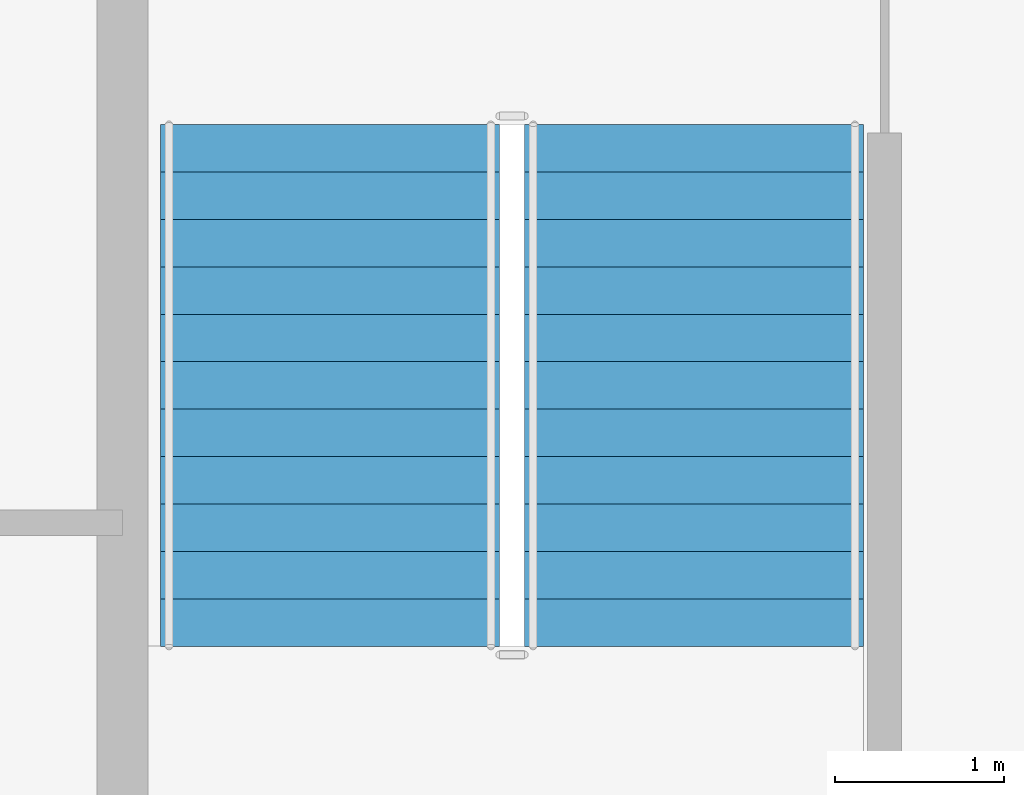
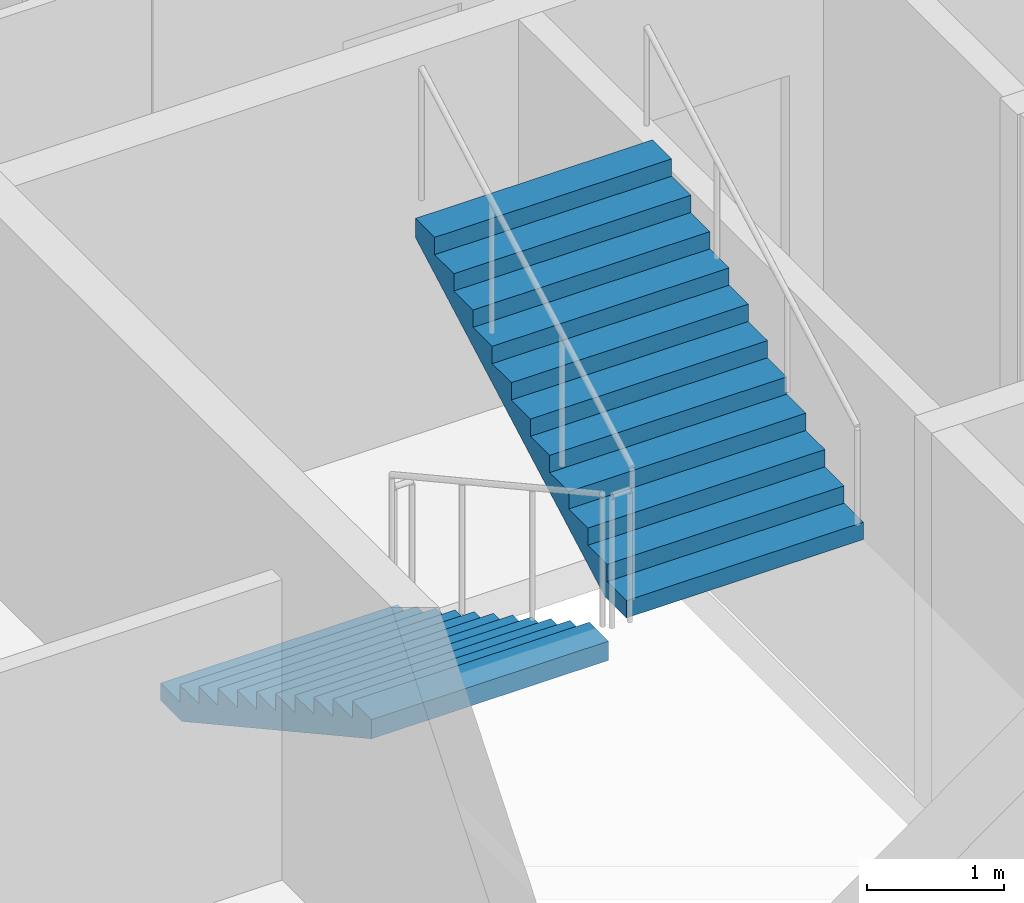
# One storey, part 7 of 15: 2 stair flights, 1 element without a shape of its own.
"""IFC4 building model written with IfcOpenShell, lengths in metres."""

from ifc_helpers import new_model, si_unit, direction, frame, origin, place, context, subcontext, project, spatial, polygons, material, type_object, element, aggregate, save


model = new_model("IFC4")

# Units and contexts
model_context = context("Model", 3, precision=1e-05, world=origin(), true_north=direction((0.0, 1.0)))
body_context = subcontext(model_context, "Body", "Model", "MODEL_VIEW")
ifc_project = project(units=[si_unit("LENGTHUNIT", "METRE"), si_unit("AREAUNIT", "SQUARE_METRE"), si_unit("VOLUMEUNIT", "CUBIC_METRE"), si_unit("PLANEANGLEUNIT", "RADIAN"), si_unit("MASSUNIT", "GRAM", prefix="KILO")], contexts=[model_context])

# Site, building, storey
site_placement = place(None, origin())
site = spatial("IfcSite", under=ifc_project, at=site_placement, CompositionType="ELEMENT")
building_placement = place(site_placement, origin())
building = spatial("IfcBuilding", under=site, at=building_placement, Name="Caravel Reach Hotel and Residences", CompositionType="ELEMENT")
storey_placement = place(building_placement, frame((0.0, 0.0, 252.699951171875)))
storey = spatial("IfcBuildingStorey", under=building, at=storey_placement, Name="L64", CompositionType="ELEMENT", Elevation=252.699951171875)

# Stair, stair flights
ifc_material_1 = material(Name="Concrete C40", Category="concrete")
stair_type = type_object("IfcStairType", Name="Core stair", PredefinedType="HALF_TURN_STAIR", material=ifc_material_1)
stair_placement = place(storey_placement, origin())
stair = element("IfcStair", 1, at=stair_placement, inside=storey, type_object=stair_type, Name="L64 Exit stair A", PredefinedType="HALF_TURN_STAIR")
ifc_material_2 = material(Name="Concrete C40", Category="concrete")
stair_flight_type = type_object("IfcStairFlightType", Name="Core stair flight", PredefinedType="STRAIGHT", material=ifc_material_2)
stair_flight_1_placement = place(storey_placement, frame((19.22509765625, 29.35009765625, 0.0), z_axis=(0.0, 0.0, 1.0), x_axis=(0.0, -1.0, 0.0)))
stair_flight_1 = element("IfcStairFlight", 2, at=stair_flight_1_placement, type_object=stair_flight_type, Name="ST-A flight 1", NumberOfRisers=12, NumberOfTreads=11, PredefinedType="STRAIGHT", RiserHeight=0.154166667, TreadLength=0.28, context=body_context, shape_type="Tessellation", body=[
    polygons([(0.3107950034306102, 1.0, 0.0), (0.3107950034306102, 0.6666666666666667, 0.0), (0.3107950034306102, 0.33333333333333337, 0.0), (0.3107950034306102, 0.0, 0.0), (0.3107950034306102, -0.33333333333333326, 0.0), (0.3107950034306102, -0.6666666666666667, 0.0), (0.3107950034306102, -1.0, 0.0), (3.081, 1.0, 1.524711087717319), (3.081, 0.6666666666666667, 1.524711087717319), (3.081, 0.33333333333333337, 1.524711087717319), (3.081, 0.0, 1.524711087717319), (3.081, -0.33333333333333326, 1.524711087717319), (3.081, -0.6666666666666667, 1.524711087717319), (3.081, -1.0, 1.524711087717319), (3.081, 1.0, 1.695833337), (3.081, 0.6666666666666667, 1.695833337), (3.081, 0.33333333333333337, 1.695833337), (3.081, 0.0, 1.695833337), (3.081, -0.33333333333333326, 1.695833337), (3.081, -0.6666666666666667, 1.695833337), (3.081, -1.0, 1.695833337), (2.8000000000000003, 1.0, 1.695833337), (2.8000000000000003, 0.6666666666666667, 1.695833337), (2.8000000000000003, 0.33333333333333337, 1.695833337), (2.8000000000000003, 0.0, 1.695833337), (2.8000000000000003, -0.33333333333333326, 1.695833337), (2.8000000000000003, -0.6666666666666667, 1.695833337), (2.8000000000000003, -1.0, 1.695833337), (2.8000000000000003, 1.0, 1.5416666700000001), (2.8000000000000003, 0.6666666666666667, 1.5416666700000001), (2.8000000000000003, 0.33333333333333337, 1.5416666700000001), (2.8000000000000003, 0.0, 1.5416666700000001), (2.8000000000000003, -0.33333333333333326, 1.5416666700000001), (2.8000000000000003, -0.6666666666666667, 1.5416666700000001), (2.8000000000000003, -1.0, 1.5416666700000001), (2.5200000000000005, 1.0, 1.5416666700000001), (2.5200000000000005, 0.6666666666666667, 1.5416666700000001), (2.5200000000000005, 0.33333333333333337, 1.5416666700000001), (2.5200000000000005, 0.0, 1.5416666700000001), (2.5200000000000005, -0.33333333333333326, 1.5416666700000001), (2.5200000000000005, -0.6666666666666667, 1.5416666700000001), (2.5200000000000005, -1.0, 1.5416666700000001), (2.5200000000000005, 1.0, 1.387500003), (2.5200000000000005, 0.6666666666666667, 1.387500003), (2.5200000000000005, 0.33333333333333337, 1.387500003), (2.5200000000000005, 0.0, 1.387500003), (2.5200000000000005, -0.33333333333333326, 1.387500003), (2.5200000000000005, -0.6666666666666667, 1.387500003), (2.5200000000000005, -1.0, 1.387500003), (2.24, 1.0, 1.387500003), (2.24, 0.6666666666666667, 1.387500003), (2.24, 0.33333333333333337, 1.387500003), (2.24, 0.0, 1.387500003), (2.24, -0.33333333333333326, 1.387500003), (2.24, -0.6666666666666667, 1.387500003), (2.24, -1.0, 1.387500003), (2.24, 1.0, 1.233333336), (2.24, 0.6666666666666667, 1.233333336), (2.24, 0.33333333333333337, 1.233333336), (2.24, 0.0, 1.233333336), (2.24, -0.33333333333333326, 1.233333336), (2.24, -0.6666666666666667, 1.233333336), (2.24, -1.0, 1.233333336), (1.9600000000000002, 1.0, 1.233333336), (1.9600000000000002, 0.6666666666666667, 1.233333336), (1.9600000000000002, 0.33333333333333337, 1.233333336), (1.9600000000000002, 0.0, 1.233333336), (1.9600000000000002, -0.33333333333333326, 1.233333336), (1.9600000000000002, -0.6666666666666667, 1.233333336), (1.9600000000000002, -1.0, 1.233333336), (1.9600000000000002, 1.0, 1.0791666690000001), (1.9600000000000002, 0.6666666666666667, 1.0791666690000001), (1.9600000000000002, 0.33333333333333337, 1.0791666690000001), (1.9600000000000002, 0.0, 1.0791666690000001), (1.9600000000000002, -0.33333333333333326, 1.0791666690000001), (1.9600000000000002, -0.6666666666666667, 1.0791666690000001), (1.9600000000000002, -1.0, 1.0791666690000001), (1.6800000000000002, 1.0, 1.0791666690000001), (1.6800000000000002, 0.6666666666666667, 1.0791666690000001), (1.6800000000000002, 0.33333333333333337, 1.0791666690000001), (1.6800000000000002, 0.0, 1.0791666690000001), (1.6800000000000002, -0.33333333333333326, 1.0791666690000001), (1.6800000000000002, -0.6666666666666667, 1.0791666690000001), (1.6800000000000002, -1.0, 1.0791666690000001), (1.6800000000000002, 1.0, 0.925000002), (1.6800000000000002, 0.6666666666666667, 0.925000002), (1.6800000000000002, 0.33333333333333337, 0.925000002), (1.6800000000000002, 0.0, 0.925000002), (1.6800000000000002, -0.33333333333333326, 0.925000002), (1.6800000000000002, -0.6666666666666667, 0.925000002), (1.6800000000000002, -1.0, 0.925000002), (1.4000000000000001, 1.0, 0.925000002), (1.4000000000000001, 0.6666666666666667, 0.925000002), (1.4000000000000001, 0.33333333333333337, 0.925000002), (1.4000000000000001, 0.0, 0.925000002), (1.4000000000000001, -0.33333333333333326, 0.925000002), (1.4000000000000001, -0.6666666666666667, 0.925000002), (1.4000000000000001, -1.0, 0.925000002), (1.4000000000000001, 1.0, 0.7708333350000001), (1.4000000000000001, 0.6666666666666667, 0.7708333350000001), (1.4000000000000001, 0.33333333333333337, 0.7708333350000001), (1.4000000000000001, 0.0, 0.7708333350000001), (1.4000000000000001, -0.33333333333333326, 0.7708333350000001), (1.4000000000000001, -0.6666666666666667, 0.7708333350000001), (1.4000000000000001, -1.0, 0.7708333350000001), (1.12, 1.0, 0.7708333350000001), (1.12, 0.6666666666666667, 0.7708333350000001), (1.12, 0.33333333333333337, 0.7708333350000001), (1.12, 0.0, 0.7708333350000001), (1.12, -0.33333333333333326, 0.7708333350000001), (1.12, -0.6666666666666667, 0.7708333350000001), (1.12, -1.0, 0.7708333350000001), (1.12, 1.0, 0.616666668), (1.12, 0.6666666666666667, 0.616666668), (1.12, 0.33333333333333337, 0.616666668), (1.12, 0.0, 0.616666668), (1.12, -0.33333333333333326, 0.616666668), (1.12, -0.6666666666666667, 0.616666668), (1.12, -1.0, 0.616666668), (0.8400000000000001, 1.0, 0.616666668), (0.8400000000000001, 0.6666666666666667, 0.616666668), (0.8400000000000001, 0.33333333333333337, 0.616666668), (0.8400000000000001, 0.0, 0.616666668), (0.8400000000000001, -0.33333333333333326, 0.616666668), (0.8400000000000001, -0.6666666666666667, 0.616666668), (0.8400000000000001, -1.0, 0.616666668), (0.8400000000000001, 1.0, 0.462500001), (0.8400000000000001, 0.6666666666666667, 0.462500001), (0.8400000000000001, 0.33333333333333337, 0.462500001), (0.8400000000000001, 0.0, 0.462500001), (0.8400000000000001, -0.33333333333333326, 0.462500001), (0.8400000000000001, -0.6666666666666667, 0.462500001), (0.8400000000000001, -1.0, 0.462500001), (0.56, 1.0, 0.462500001), (0.56, 0.6666666666666667, 0.462500001), (0.56, 0.33333333333333337, 0.462500001), (0.56, 0.0, 0.462500001), (0.56, -0.33333333333333326, 0.462500001), (0.56, -0.6666666666666667, 0.462500001), (0.56, -1.0, 0.462500001), (0.56, 1.0, 0.308333334), (0.56, 0.6666666666666667, 0.308333334), (0.56, 0.33333333333333337, 0.308333334), (0.56, 0.0, 0.308333334), (0.56, -0.33333333333333326, 0.308333334), (0.56, -0.6666666666666667, 0.308333334), (0.56, -1.0, 0.308333334), (0.28, 1.0, 0.308333334), (0.28, 0.6666666666666667, 0.308333334), (0.28, 0.33333333333333337, 0.308333334), (0.28, 0.0, 0.308333334), (0.28, -0.33333333333333326, 0.308333334), (0.28, -0.6666666666666667, 0.308333334), (0.28, -1.0, 0.308333334), (0.28, 1.0, 0.154166667), (0.28, 0.6666666666666667, 0.154166667), (0.28, 0.33333333333333337, 0.154166667), (0.28, 0.0, 0.154166667), (0.28, -0.33333333333333326, 0.154166667), (0.28, -0.6666666666666667, 0.154166667), (0.28, -1.0, 0.154166667), (-0.001, 1.0, 0.154166667), (-0.001, 0.6666666666666667, 0.154166667), (-0.001, 0.33333333333333337, 0.154166667), (-0.001, 0.0, 0.154166667), (-0.001, -0.33333333333333326, 0.154166667), (-0.001, -0.6666666666666667, 0.154166667), (-0.001, -1.0, 0.154166667), (-0.001, 1.0, 0.0), (-0.001, 0.6666666666666667, 0.0), (-0.001, 0.33333333333333337, 0.0), (-0.001, 0.0, 0.0), (-0.001, -0.33333333333333326, 0.0), (-0.001, -0.6666666666666667, 0.0), (-0.001, -1.0, 0.0)], [[[169, 162, 155, 148, 141, 134, 127, 120, 113, 106, 99, 92, 85, 78, 71, 64, 57, 50, 43, 36, 29, 22, 15, 8, 1]], [[7, 14, 21, 28, 35, 42, 49, 56, 63, 70, 77, 84, 91, 98, 105, 112, 119, 126, 133, 140, 147, 154, 161, 168, 175]], [[1, 8, 9, 2]], [[2, 9, 10, 3]], [[3, 10, 11, 4]], [[4, 11, 12, 5]], [[5, 12, 13, 6]], [[6, 13, 14, 7]], [[8, 15, 16, 9]], [[9, 16, 17, 10]], [[10, 17, 18, 11]], [[11, 18, 19, 12]], [[12, 19, 20, 13]], [[13, 20, 21, 14]], [[15, 22, 23, 16]], [[16, 23, 24, 17]], [[17, 24, 25, 18]], [[18, 25, 26, 19]], [[19, 26, 27, 20]], [[20, 27, 28, 21]], [[22, 29, 30, 23]], [[23, 30, 31, 24]], [[24, 31, 32, 25]], [[25, 32, 33, 26]], [[26, 33, 34, 27]], [[27, 34, 35, 28]], [[29, 36, 37, 30]], [[30, 37, 38, 31]], [[31, 38, 39, 32]], [[32, 39, 40, 33]], [[33, 40, 41, 34]], [[34, 41, 42, 35]], [[36, 43, 44, 37]], [[37, 44, 45, 38]], [[38, 45, 46, 39]], [[39, 46, 47, 40]], [[40, 47, 48, 41]], [[41, 48, 49, 42]], [[43, 50, 51, 44]], [[44, 51, 52, 45]], [[45, 52, 53, 46]], [[46, 53, 54, 47]], [[47, 54, 55, 48]], [[48, 55, 56, 49]], [[50, 57, 58, 51]], [[51, 58, 59, 52]], [[52, 59, 60, 53]], [[53, 60, 61, 54]], [[54, 61, 62, 55]], [[55, 62, 63, 56]], [[57, 64, 65, 58]], [[58, 65, 66, 59]], [[59, 66, 67, 60]], [[60, 67, 68, 61]], [[61, 68, 69, 62]], [[62, 69, 70, 63]], [[64, 71, 72, 65]], [[65, 72, 73, 66]], [[66, 73, 74, 67]], [[67, 74, 75, 68]], [[68, 75, 76, 69]], [[69, 76, 77, 70]], [[71, 78, 79, 72]], [[72, 79, 80, 73]], [[73, 80, 81, 74]], [[74, 81, 82, 75]], [[75, 82, 83, 76]], [[76, 83, 84, 77]], [[78, 85, 86, 79]], [[79, 86, 87, 80]], [[80, 87, 88, 81]], [[81, 88, 89, 82]], [[82, 89, 90, 83]], [[83, 90, 91, 84]], [[85, 92, 93, 86]], [[86, 93, 94, 87]], [[87, 94, 95, 88]], [[88, 95, 96, 89]], [[89, 96, 97, 90]], [[90, 97, 98, 91]], [[92, 99, 100, 93]], [[93, 100, 101, 94]], [[94, 101, 102, 95]], [[95, 102, 103, 96]], [[96, 103, 104, 97]], [[97, 104, 105, 98]], [[99, 106, 107, 100]], [[100, 107, 108, 101]], [[101, 108, 109, 102]], [[102, 109, 110, 103]], [[103, 110, 111, 104]], [[104, 111, 112, 105]], [[106, 113, 114, 107]], [[107, 114, 115, 108]], [[108, 115, 116, 109]], [[109, 116, 117, 110]], [[110, 117, 118, 111]], [[111, 118, 119, 112]], [[113, 120, 121, 114]], [[114, 121, 122, 115]], [[115, 122, 123, 116]], [[116, 123, 124, 117]], [[117, 124, 125, 118]], [[118, 125, 126, 119]], [[120, 127, 128, 121]], [[121, 128, 129, 122]], [[122, 129, 130, 123]], [[123, 130, 131, 124]], [[124, 131, 132, 125]], [[125, 132, 133, 126]], [[127, 134, 135, 128]], [[128, 135, 136, 129]], [[129, 136, 137, 130]], [[130, 137, 138, 131]], [[131, 138, 139, 132]], [[132, 139, 140, 133]], [[134, 141, 142, 135]], [[135, 142, 143, 136]], [[136, 143, 144, 137]], [[137, 144, 145, 138]], [[138, 145, 146, 139]], [[139, 146, 147, 140]], [[141, 148, 149, 142]], [[142, 149, 150, 143]], [[143, 150, 151, 144]], [[144, 151, 152, 145]], [[145, 152, 153, 146]], [[146, 153, 154, 147]], [[148, 155, 156, 149]], [[149, 156, 157, 150]], [[150, 157, 158, 151]], [[151, 158, 159, 152]], [[152, 159, 160, 153]], [[153, 160, 161, 154]], [[155, 162, 163, 156]], [[156, 163, 164, 157]], [[157, 164, 165, 158]], [[158, 165, 166, 159]], [[159, 166, 167, 160]], [[160, 167, 168, 161]], [[162, 169, 170, 163]], [[163, 170, 171, 164]], [[164, 171, 172, 165]], [[165, 172, 173, 166]], [[166, 173, 174, 167]], [[167, 174, 175, 168]], [[169, 1, 2, 170]], [[170, 2, 3, 171]], [[171, 3, 4, 172]], [[172, 4, 5, 173]], [[173, 5, 6, 174]], [[174, 6, 7, 175]]], closed=True),
])
stair_flight_2_placement = place(storey_placement, frame((21.375, 26.27001953125, 1.85009765625), z_axis=(0.0, 0.0, 1.0), x_axis=(0.0, 1.0, 0.0)))
stair_flight_2 = element("IfcStairFlight", 3, at=stair_flight_2_placement, type_object=stair_flight_type, Name="ST-A flight 2", NumberOfRisers=12, NumberOfTreads=11, PredefinedType="STRAIGHT", RiserHeight=0.154166667, TreadLength=0.28, context=body_context, shape_type="Tessellation", body=[
    polygons([(0.3107950034306102, 1.0, 0.0), (0.3107950034306102, 0.6666666666666667, 0.0), (0.3107950034306102, 0.33333333333333337, 0.0), (0.3107950034306102, 0.0, 0.0), (0.3107950034306102, -0.33333333333333326, 0.0), (0.3107950034306102, -0.6666666666666667, 0.0), (0.3107950034306102, -1.0, 0.0), (3.081, 1.0, 1.524711087717319), (3.081, 0.6666666666666667, 1.524711087717319), (3.081, 0.33333333333333337, 1.524711087717319), (3.081, 0.0, 1.524711087717319), (3.081, -0.33333333333333326, 1.524711087717319), (3.081, -0.6666666666666667, 1.524711087717319), (3.081, -1.0, 1.524711087717319), (3.081, 1.0, 1.695833337), (3.081, 0.6666666666666667, 1.695833337), (3.081, 0.33333333333333337, 1.695833337), (3.081, 0.0, 1.695833337), (3.081, -0.33333333333333326, 1.695833337), (3.081, -0.6666666666666667, 1.695833337), (3.081, -1.0, 1.695833337), (2.8000000000000003, 1.0, 1.695833337), (2.8000000000000003, 0.6666666666666667, 1.695833337), (2.8000000000000003, 0.33333333333333337, 1.695833337), (2.8000000000000003, 0.0, 1.695833337), (2.8000000000000003, -0.33333333333333326, 1.695833337), (2.8000000000000003, -0.6666666666666667, 1.695833337), (2.8000000000000003, -1.0, 1.695833337), (2.8000000000000003, 1.0, 1.5416666700000001), (2.8000000000000003, 0.6666666666666667, 1.5416666700000001), (2.8000000000000003, 0.33333333333333337, 1.5416666700000001), (2.8000000000000003, 0.0, 1.5416666700000001), (2.8000000000000003, -0.33333333333333326, 1.5416666700000001), (2.8000000000000003, -0.6666666666666667, 1.5416666700000001), (2.8000000000000003, -1.0, 1.5416666700000001), (2.5200000000000005, 1.0, 1.5416666700000001), (2.5200000000000005, 0.6666666666666667, 1.5416666700000001), (2.5200000000000005, 0.33333333333333337, 1.5416666700000001), (2.5200000000000005, 0.0, 1.5416666700000001), (2.5200000000000005, -0.33333333333333326, 1.5416666700000001), (2.5200000000000005, -0.6666666666666667, 1.5416666700000001), (2.5200000000000005, -1.0, 1.5416666700000001), (2.5200000000000005, 1.0, 1.387500003), (2.5200000000000005, 0.6666666666666667, 1.387500003), (2.5200000000000005, 0.33333333333333337, 1.387500003), (2.5200000000000005, 0.0, 1.387500003), (2.5200000000000005, -0.33333333333333326, 1.387500003), (2.5200000000000005, -0.6666666666666667, 1.387500003), (2.5200000000000005, -1.0, 1.387500003), (2.24, 1.0, 1.387500003), (2.24, 0.6666666666666667, 1.387500003), (2.24, 0.33333333333333337, 1.387500003), (2.24, 0.0, 1.387500003), (2.24, -0.33333333333333326, 1.387500003), (2.24, -0.6666666666666667, 1.387500003), (2.24, -1.0, 1.387500003), (2.24, 1.0, 1.233333336), (2.24, 0.6666666666666667, 1.233333336), (2.24, 0.33333333333333337, 1.233333336), (2.24, 0.0, 1.233333336), (2.24, -0.33333333333333326, 1.233333336), (2.24, -0.6666666666666667, 1.233333336), (2.24, -1.0, 1.233333336), (1.9600000000000002, 1.0, 1.233333336), (1.9600000000000002, 0.6666666666666667, 1.233333336), (1.9600000000000002, 0.33333333333333337, 1.233333336), (1.9600000000000002, 0.0, 1.233333336), (1.9600000000000002, -0.33333333333333326, 1.233333336), (1.9600000000000002, -0.6666666666666667, 1.233333336), (1.9600000000000002, -1.0, 1.233333336), (1.9600000000000002, 1.0, 1.0791666690000001), (1.9600000000000002, 0.6666666666666667, 1.0791666690000001), (1.9600000000000002, 0.33333333333333337, 1.0791666690000001), (1.9600000000000002, 0.0, 1.0791666690000001), (1.9600000000000002, -0.33333333333333326, 1.0791666690000001), (1.9600000000000002, -0.6666666666666667, 1.0791666690000001), (1.9600000000000002, -1.0, 1.0791666690000001), (1.6800000000000002, 1.0, 1.0791666690000001), (1.6800000000000002, 0.6666666666666667, 1.0791666690000001), (1.6800000000000002, 0.33333333333333337, 1.0791666690000001), (1.6800000000000002, 0.0, 1.0791666690000001), (1.6800000000000002, -0.33333333333333326, 1.0791666690000001), (1.6800000000000002, -0.6666666666666667, 1.0791666690000001), (1.6800000000000002, -1.0, 1.0791666690000001), (1.6800000000000002, 1.0, 0.925000002), (1.6800000000000002, 0.6666666666666667, 0.925000002), (1.6800000000000002, 0.33333333333333337, 0.925000002), (1.6800000000000002, 0.0, 0.925000002), (1.6800000000000002, -0.33333333333333326, 0.925000002), (1.6800000000000002, -0.6666666666666667, 0.925000002), (1.6800000000000002, -1.0, 0.925000002), (1.4000000000000001, 1.0, 0.925000002), (1.4000000000000001, 0.6666666666666667, 0.925000002), (1.4000000000000001, 0.33333333333333337, 0.925000002), (1.4000000000000001, 0.0, 0.925000002), (1.4000000000000001, -0.33333333333333326, 0.925000002), (1.4000000000000001, -0.6666666666666667, 0.925000002), (1.4000000000000001, -1.0, 0.925000002), (1.4000000000000001, 1.0, 0.7708333350000001), (1.4000000000000001, 0.6666666666666667, 0.7708333350000001), (1.4000000000000001, 0.33333333333333337, 0.7708333350000001), (1.4000000000000001, 0.0, 0.7708333350000001), (1.4000000000000001, -0.33333333333333326, 0.7708333350000001), (1.4000000000000001, -0.6666666666666667, 0.7708333350000001), (1.4000000000000001, -1.0, 0.7708333350000001), (1.12, 1.0, 0.7708333350000001), (1.12, 0.6666666666666667, 0.7708333350000001), (1.12, 0.33333333333333337, 0.7708333350000001), (1.12, 0.0, 0.7708333350000001), (1.12, -0.33333333333333326, 0.7708333350000001), (1.12, -0.6666666666666667, 0.7708333350000001), (1.12, -1.0, 0.7708333350000001), (1.12, 1.0, 0.616666668), (1.12, 0.6666666666666667, 0.616666668), (1.12, 0.33333333333333337, 0.616666668), (1.12, 0.0, 0.616666668), (1.12, -0.33333333333333326, 0.616666668), (1.12, -0.6666666666666667, 0.616666668), (1.12, -1.0, 0.616666668), (0.8400000000000001, 1.0, 0.616666668), (0.8400000000000001, 0.6666666666666667, 0.616666668), (0.8400000000000001, 0.33333333333333337, 0.616666668), (0.8400000000000001, 0.0, 0.616666668), (0.8400000000000001, -0.33333333333333326, 0.616666668), (0.8400000000000001, -0.6666666666666667, 0.616666668), (0.8400000000000001, -1.0, 0.616666668), (0.8400000000000001, 1.0, 0.462500001), (0.8400000000000001, 0.6666666666666667, 0.462500001), (0.8400000000000001, 0.33333333333333337, 0.462500001), (0.8400000000000001, 0.0, 0.462500001), (0.8400000000000001, -0.33333333333333326, 0.462500001), (0.8400000000000001, -0.6666666666666667, 0.462500001), (0.8400000000000001, -1.0, 0.462500001), (0.56, 1.0, 0.462500001), (0.56, 0.6666666666666667, 0.462500001), (0.56, 0.33333333333333337, 0.462500001), (0.56, 0.0, 0.462500001), (0.56, -0.33333333333333326, 0.462500001), (0.56, -0.6666666666666667, 0.462500001), (0.56, -1.0, 0.462500001), (0.56, 1.0, 0.308333334), (0.56, 0.6666666666666667, 0.308333334), (0.56, 0.33333333333333337, 0.308333334), (0.56, 0.0, 0.308333334), (0.56, -0.33333333333333326, 0.308333334), (0.56, -0.6666666666666667, 0.308333334), (0.56, -1.0, 0.308333334), (0.28, 1.0, 0.308333334), (0.28, 0.6666666666666667, 0.308333334), (0.28, 0.33333333333333337, 0.308333334), (0.28, 0.0, 0.308333334), (0.28, -0.33333333333333326, 0.308333334), (0.28, -0.6666666666666667, 0.308333334), (0.28, -1.0, 0.308333334), (0.28, 1.0, 0.154166667), (0.28, 0.6666666666666667, 0.154166667), (0.28, 0.33333333333333337, 0.154166667), (0.28, 0.0, 0.154166667), (0.28, -0.33333333333333326, 0.154166667), (0.28, -0.6666666666666667, 0.154166667), (0.28, -1.0, 0.154166667), (-0.001, 1.0, 0.154166667), (-0.001, 0.6666666666666667, 0.154166667), (-0.001, 0.33333333333333337, 0.154166667), (-0.001, 0.0, 0.154166667), (-0.001, -0.33333333333333326, 0.154166667), (-0.001, -0.6666666666666667, 0.154166667), (-0.001, -1.0, 0.154166667), (-0.001, 1.0, 0.0), (-0.001, 0.6666666666666667, 0.0), (-0.001, 0.33333333333333337, 0.0), (-0.001, 0.0, 0.0), (-0.001, -0.33333333333333326, 0.0), (-0.001, -0.6666666666666667, 0.0), (-0.001, -1.0, 0.0)], [[[169, 162, 155, 148, 141, 134, 127, 120, 113, 106, 99, 92, 85, 78, 71, 64, 57, 50, 43, 36, 29, 22, 15, 8, 1]], [[7, 14, 21, 28, 35, 42, 49, 56, 63, 70, 77, 84, 91, 98, 105, 112, 119, 126, 133, 140, 147, 154, 161, 168, 175]], [[1, 8, 9, 2]], [[2, 9, 10, 3]], [[3, 10, 11, 4]], [[4, 11, 12, 5]], [[5, 12, 13, 6]], [[6, 13, 14, 7]], [[8, 15, 16, 9]], [[9, 16, 17, 10]], [[10, 17, 18, 11]], [[11, 18, 19, 12]], [[12, 19, 20, 13]], [[13, 20, 21, 14]], [[15, 22, 23, 16]], [[16, 23, 24, 17]], [[17, 24, 25, 18]], [[18, 25, 26, 19]], [[19, 26, 27, 20]], [[20, 27, 28, 21]], [[22, 29, 30, 23]], [[23, 30, 31, 24]], [[24, 31, 32, 25]], [[25, 32, 33, 26]], [[26, 33, 34, 27]], [[27, 34, 35, 28]], [[29, 36, 37, 30]], [[30, 37, 38, 31]], [[31, 38, 39, 32]], [[32, 39, 40, 33]], [[33, 40, 41, 34]], [[34, 41, 42, 35]], [[36, 43, 44, 37]], [[37, 44, 45, 38]], [[38, 45, 46, 39]], [[39, 46, 47, 40]], [[40, 47, 48, 41]], [[41, 48, 49, 42]], [[43, 50, 51, 44]], [[44, 51, 52, 45]], [[45, 52, 53, 46]], [[46, 53, 54, 47]], [[47, 54, 55, 48]], [[48, 55, 56, 49]], [[50, 57, 58, 51]], [[51, 58, 59, 52]], [[52, 59, 60, 53]], [[53, 60, 61, 54]], [[54, 61, 62, 55]], [[55, 62, 63, 56]], [[57, 64, 65, 58]], [[58, 65, 66, 59]], [[59, 66, 67, 60]], [[60, 67, 68, 61]], [[61, 68, 69, 62]], [[62, 69, 70, 63]], [[64, 71, 72, 65]], [[65, 72, 73, 66]], [[66, 73, 74, 67]], [[67, 74, 75, 68]], [[68, 75, 76, 69]], [[69, 76, 77, 70]], [[71, 78, 79, 72]], [[72, 79, 80, 73]], [[73, 80, 81, 74]], [[74, 81, 82, 75]], [[75, 82, 83, 76]], [[76, 83, 84, 77]], [[78, 85, 86, 79]], [[79, 86, 87, 80]], [[80, 87, 88, 81]], [[81, 88, 89, 82]], [[82, 89, 90, 83]], [[83, 90, 91, 84]], [[85, 92, 93, 86]], [[86, 93, 94, 87]], [[87, 94, 95, 88]], [[88, 95, 96, 89]], [[89, 96, 97, 90]], [[90, 97, 98, 91]], [[92, 99, 100, 93]], [[93, 100, 101, 94]], [[94, 101, 102, 95]], [[95, 102, 103, 96]], [[96, 103, 104, 97]], [[97, 104, 105, 98]], [[99, 106, 107, 100]], [[100, 107, 108, 101]], [[101, 108, 109, 102]], [[102, 109, 110, 103]], [[103, 110, 111, 104]], [[104, 111, 112, 105]], [[106, 113, 114, 107]], [[107, 114, 115, 108]], [[108, 115, 116, 109]], [[109, 116, 117, 110]], [[110, 117, 118, 111]], [[111, 118, 119, 112]], [[113, 120, 121, 114]], [[114, 121, 122, 115]], [[115, 122, 123, 116]], [[116, 123, 124, 117]], [[117, 124, 125, 118]], [[118, 125, 126, 119]], [[120, 127, 128, 121]], [[121, 128, 129, 122]], [[122, 129, 130, 123]], [[123, 130, 131, 124]], [[124, 131, 132, 125]], [[125, 132, 133, 126]], [[127, 134, 135, 128]], [[128, 135, 136, 129]], [[129, 136, 137, 130]], [[130, 137, 138, 131]], [[131, 138, 139, 132]], [[132, 139, 140, 133]], [[134, 141, 142, 135]], [[135, 142, 143, 136]], [[136, 143, 144, 137]], [[137, 144, 145, 138]], [[138, 145, 146, 139]], [[139, 146, 147, 140]], [[141, 148, 149, 142]], [[142, 149, 150, 143]], [[143, 150, 151, 144]], [[144, 151, 152, 145]], [[145, 152, 153, 146]], [[146, 153, 154, 147]], [[148, 155, 156, 149]], [[149, 156, 157, 150]], [[150, 157, 158, 151]], [[151, 158, 159, 152]], [[152, 159, 160, 153]], [[153, 160, 161, 154]], [[155, 162, 163, 156]], [[156, 163, 164, 157]], [[157, 164, 165, 158]], [[158, 165, 166, 159]], [[159, 166, 167, 160]], [[160, 167, 168, 161]], [[162, 169, 170, 163]], [[163, 170, 171, 164]], [[164, 171, 172, 165]], [[165, 172, 173, 166]], [[166, 173, 174, 167]], [[167, 174, 175, 168]], [[169, 1, 2, 170]], [[170, 2, 3, 171]], [[171, 3, 4, 172]], [[172, 4, 5, 173]], [[173, 5, 6, 174]], [[174, 6, 7, 175]]], closed=True),
])
aggregate(stair, [stair_flight_1, stair_flight_2])

save(model, "model.ifc")
